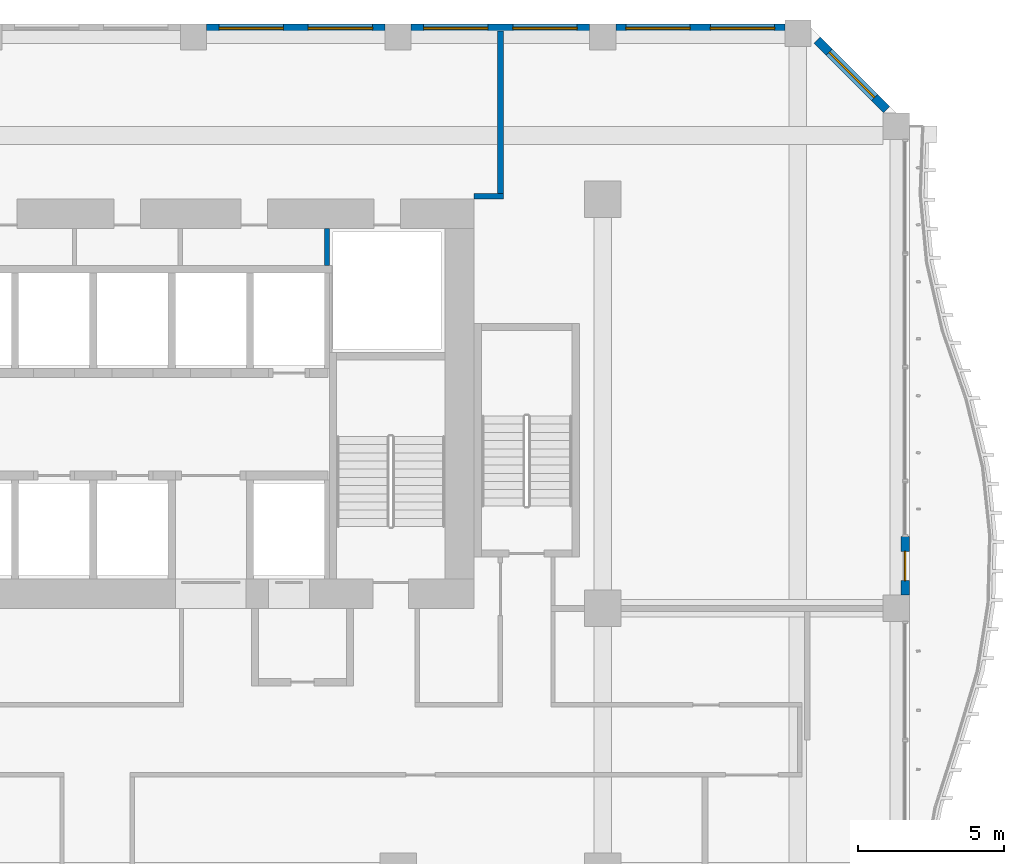
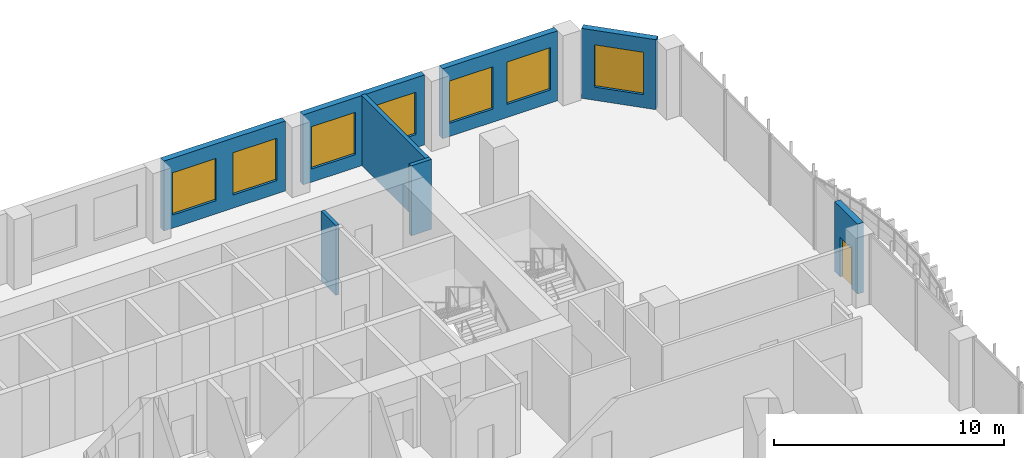
# One storey, part 16 of 27: 8 walls, 7 windows, 1 door, 8 openings.
"""IFC4 building model written with IfcOpenShell, lengths in metres."""

from ifc_helpers import new_model, si_unit, direction, frame, frame_2d, origin, place, context, subcontext, project, spatial, rectangle, extrude, source, transform, mapped, material, layer, layer_set, type_object, element, fill, save


model = new_model("IFC4")

# Units and contexts
model_context = context("Model", 3, precision=1e-05, world=origin(), true_north=direction((0.0, 1.0)))
body_context = subcontext(model_context, "Body", "Model", "MODEL_VIEW")
ifc_project = project(units=[si_unit("LENGTHUNIT", "METRE"), si_unit("AREAUNIT", "SQUARE_METRE"), si_unit("VOLUMEUNIT", "CUBIC_METRE"), si_unit("PLANEANGLEUNIT", "RADIAN"), si_unit("MASSUNIT", "GRAM", prefix="KILO")], contexts=[model_context])

# Site, building, storey
site_placement = place(None, origin())
site = spatial("IfcSite", under=ifc_project, at=site_placement, CompositionType="ELEMENT")
building_placement = place(site_placement, origin())
building = spatial("IfcBuilding", under=site, at=building_placement, Name="Kilnfold Tower and Market Hall", CompositionType="ELEMENT")
storey_placement = place(building_placement, frame((0.0, 0.0, 71.199951171875)))
storey = spatial("IfcBuildingStorey", under=building, at=storey_placement, Name="L16", CompositionType="ELEMENT", Elevation=71.199951171875)

# Walls
ifc_material_1 = material(Name="Gypsum board on steel studs", Category="steel")
ifc_layer_1 = layer(ifc_material_1, 0.199951171875)
ifc_layer_set_1 = layer_set([ifc_layer_1], Name="Gypsum board on steel studs")
wall_type_1 = type_object("IfcWallType", Name="WALL PARTY 200", PredefinedType="PARTITIONING", material=ifc_layer_set_1)
wall_1_placement = place(storey_placement, frame((19.0, 22.199951171875, 0.0), z_axis=(0.0, 0.0, 1.0), x_axis=(0.0, 1.0, 0.0)))
element("IfcWall", 1, at=wall_1_placement, inside=storey, type_object=wall_type_1, Name="Partition LY12.42", PredefinedType="PARTITIONING", context=body_context, shape_type="SweptSolid", body=[
    extrude(rectangle(XDim=5.550048828125, YDim=0.199951171875, at=frame_2d((2.77490234375, 0.0))), origin(), (0.0, 0.0, 1.0), 3.719970703125),
])
wall_2_placement = place(storey_placement, frame((18.090087890625, 22.10009765625, 0.0), z_axis=(0.0, 0.0, 1.0), x_axis=(1.0, 0.0, 0.0)))
element("IfcWall", 2, at=wall_2_placement, inside=storey, type_object=wall_type_1, Name="Partition LY12.43", PredefinedType="PARTITIONING", context=body_context, shape_type="SweptSolid", body=[
    extrude(rectangle(XDim=1.010009765625, YDim=0.199951171875, at=frame_2d((0.5048828125, 0.0))), origin(), (0.0, 0.0, 1.0), 3.719970703125),
])

# Wall, opening, door
ifc_material_2 = material(Name="Precast concrete C50/60", Category="concrete")
ifc_layer_2 = layer(ifc_material_2, 0.300048828125)
ifc_layer_set_2 = layer_set([ifc_layer_2], Name="Precast concrete C50/60")
wall_type_2 = type_object("IfcWallType", Name="PRECAST WALL 300", PredefinedType="SOLIDWALL", material=ifc_layer_set_2)
shared_shape_1 = source(origin(), body_context, "Body", "SweptSolid", [
    extrude(rectangle(XDim=2.0, YDim=0.300048828125, at=frame_2d((1.0, 0.0))), origin(), (0.0, 0.0, 1.0), 3.719970703125),
])
wall_3_placement = place(storey_placement, frame((32.85009765625, 8.449951171875, 0.0), z_axis=(0.0, 0.0, 1.0), x_axis=(0.0, 1.0, 0.0)))
wall_3 = element("IfcWall", 3, at=wall_3_placement, inside=storey, type_object=wall_type_2, Name="External wall L16 E", PredefinedType="SOLIDWALL", context=body_context, shape_type="MappedRepresentation", body=[
    mapped(shared_shape_1, transform((0.0, 0.0, 0.0))),
])
opening_1_placement = place(wall_3_placement, frame((0.5, 0.0, 0.0)))
opening_1 = element("IfcOpeningElement", 4, at=opening_1_placement, cuts=wall_3, Name="Opening BD1", PredefinedType="OPENING", context=body_context, shape_type="SweptSolid", body=[
    extrude(rectangle(XDim=1.0, YDim=2.10009765625, at=frame_2d((0.5, 1.050048828125))), frame((0.0, 0.16015625, 0.0), z_axis=(0.0, -1.0, 0.0), x_axis=(1.0, 0.0, 0.0)), (0.0, 0.0, 1.0), 0.320068359375),
])
ifc_material_3 = material(Name="Aluminium frame and double glazing", Category="aluminium")
door_type = type_object("IfcDoorType", Name="BALCONY DOOR 1000X2100", OperationType="NOTDEFINED", PredefinedType="DOOR", material=ifc_material_3)
door_placement = place(opening_1_placement, origin())
door = element("IfcDoor", 5, at=door_placement, inside=storey, type_object=door_type, Name="Balcony door BD1 L16 E-1", OperationType="SINGLE_SWING_LEFT", OverallHeight=2.10009765625, OverallWidth=1.0, PredefinedType="DOOR", context=body_context, shape_type="SweptSolid", body=[
    extrude(rectangle(XDim=1.0, YDim=2.10009765625, at=frame_2d((0.5, 1.050048828125))), frame((0.0, 0.02490234375, 0.0), z_axis=(0.0, -1.0, 0.0), x_axis=(1.0, 0.0, 0.0)), (0.0, 0.0, 1.0), 0.050048828125),
])
fill(opening_1, door)

# Wall, opening, window
shared_shape_2 = source(origin(), body_context, "Body", "SweptSolid", [
    extrude(rectangle(XDim=3.35888671875, YDim=0.300048828125, at=frame_2d((1.679443359375, 0.0))), origin(), (0.0, 0.0, 1.0), 3.719970703125),
])
wall_4_placement = place(storey_placement, frame((32.218994140625, 25.06884765625, 0.0), z_axis=(0.0, 0.0, 1.0), x_axis=(-0.707070438228, 0.707143122278, 0.0)))
wall_4 = element("IfcWall", 6, at=wall_4_placement, inside=storey, type_object=wall_type_2, Name="External wall L16 NE", PredefinedType="SOLIDWALL", context=body_context, shape_type="MappedRepresentation", body=[
    mapped(shared_shape_2, transform((0.0, 0.0, 0.0))),
])
opening_2_placement = place(wall_4_placement, frame((0.579345703125, 0.0, 0.699951171875)))
opening_2 = element("IfcOpeningElement", 7, at=opening_2_placement, cuts=wall_4, Name="Opening W1", PredefinedType="OPENING", context=body_context, shape_type="SweptSolid", body=[
    extrude(rectangle(XDim=2.199951171875, YDim=2.25, at=frame_2d((1.10009765625, 1.125))), frame((0.0, 0.16015625, 0.0), z_axis=(0.0, -1.0, 0.0), x_axis=(1.0, 0.0, 0.0)), (0.0, 0.0, 1.0), 0.320068359375),
])
ifc_material_4 = material(Name="Aluminium frame and double glazing", Category="aluminium")
window_type = type_object("IfcWindowType", Name="WINDOW W1 2200X2250", PartitioningType="SINGLE_PANEL", PredefinedType="WINDOW", material=ifc_material_4)
window_1_placement = place(opening_2_placement, origin())
window_1 = element("IfcWindow", 8, at=window_1_placement, inside=storey, type_object=window_type, Name="Window W1 L16 NE-1", OverallHeight=2.25, OverallWidth=2.199951171875, PartitioningType="SINGLE_PANEL", PredefinedType="WINDOW", context=body_context, shape_type="SweptSolid", body=[
    extrude(rectangle(XDim=2.199951171875, YDim=2.25, at=frame_2d((1.10009765625, 1.125))), frame((0.0, 0.030029296875, 0.0), z_axis=(0.0, -1.0, 0.0), x_axis=(1.0, 0.0, 0.0)), (0.0, 0.0, 1.0), 0.06005859375),
])
fill(opening_2, window_1)

# Wall, openings, windows
shared_shape_3 = source(origin(), body_context, "Body", "SweptSolid", [
    extrude(rectangle(XDim=5.78173828125, YDim=0.300048828125, at=frame_2d((2.890869140625, 0.0))), origin(), (0.0, 0.0, 1.0), 3.719970703125),
])
wall_5_placement = place(storey_placement, frame((28.731689453125, 27.85009765625, 0.0), z_axis=(0.0, 0.0, 1.0), x_axis=(-1.0, 0.0, 0.0)))
wall_5 = element("IfcWall", 9, at=wall_5_placement, inside=storey, type_object=wall_type_2, Name="External wall L16 N", PredefinedType="SOLIDWALL", context=body_context, shape_type="MappedRepresentation", body=[
    mapped(shared_shape_3, transform((0.0, 0.0, 0.0))),
])
opening_3_placement = place(wall_5_placement, frame((0.345458984375, 0.0, 0.699951171875)))
opening_3 = element("IfcOpeningElement", 10, at=opening_3_placement, cuts=wall_5, Name="Opening W1", PredefinedType="OPENING", context=body_context, shape_type="SweptSolid", body=[
    extrude(rectangle(XDim=2.199951171875, YDim=2.25, at=frame_2d((1.10009765625, 1.125))), frame((0.0, 0.16015625, 0.0), z_axis=(0.0, -1.0, 0.0), x_axis=(1.0, 0.0, 0.0)), (0.0, 0.0, 1.0), 0.320068359375),
])
opening_4_placement = place(wall_5_placement, frame((3.236328125, 0.0, 0.699951171875)))
opening_4 = element("IfcOpeningElement", 11, at=opening_4_placement, cuts=wall_5, Name="Opening W1", PredefinedType="OPENING", context=body_context, shape_type="SweptSolid", body=[
    extrude(rectangle(XDim=2.199951171875, YDim=2.25, at=frame_2d((1.10009765625, 1.125))), frame((0.0, 0.16015625, 0.0), z_axis=(0.0, -1.0, 0.0), x_axis=(1.0, 0.0, 0.0)), (0.0, 0.0, 1.0), 0.320068359375),
])
window_2_placement = place(opening_3_placement, origin())
window_2 = element("IfcWindow", 12, at=window_2_placement, inside=storey, type_object=window_type, Name="Window W1 L16 N-1", OverallHeight=2.25, OverallWidth=2.199951171875, PartitioningType="SINGLE_PANEL", PredefinedType="WINDOW", context=body_context, shape_type="SweptSolid", body=[
    extrude(rectangle(XDim=2.199951171875, YDim=2.25, at=frame_2d((1.10009765625, 1.125))), frame((0.0, 0.030029296875, 0.0), z_axis=(0.0, -1.0, 0.0), x_axis=(1.0, 0.0, 0.0)), (0.0, 0.0, 1.0), 0.06005859375),
])
fill(opening_3, window_2)
window_3_placement = place(opening_4_placement, origin())
window_3 = element("IfcWindow", 13, at=window_3_placement, inside=storey, type_object=window_type, Name="Window W1 L16 N-2", OverallHeight=2.25, OverallWidth=2.199951171875, PartitioningType="SINGLE_PANEL", PredefinedType="WINDOW", context=body_context, shape_type="SweptSolid", body=[
    extrude(rectangle(XDim=2.199951171875, YDim=2.25, at=frame_2d((1.10009765625, 1.125))), frame((0.0, 0.030029296875, 0.0), z_axis=(0.0, -1.0, 0.0), x_axis=(1.0, 0.0, 0.0)), (0.0, 0.0, 1.0), 0.06005859375),
])
fill(opening_4, window_3)

shared_shape_4 = source(origin(), body_context, "Body", "SweptSolid", [
    extrude(rectangle(XDim=6.10009765625, YDim=0.300048828125, at=frame_2d((3.050048828125, 0.0))), origin(), (0.0, 0.0, 1.0), 3.719970703125),
])
wall_6_placement = place(storey_placement, frame((22.050048828125, 27.85009765625, 0.0), z_axis=(0.0, 0.0, 1.0), x_axis=(-1.0, 0.0, 0.0)))
wall_6 = element("IfcWall", 14, at=wall_6_placement, inside=storey, type_object=wall_type_2, Name="External wall L16 N", PredefinedType="SOLIDWALL", context=body_context, shape_type="MappedRepresentation", body=[
    mapped(shared_shape_4, transform((0.0, 0.0, 0.0))),
])
opening_5_placement = place(wall_6_placement, frame((0.425048828125, 0.0, 0.699951171875)))
opening_5 = element("IfcOpeningElement", 15, at=opening_5_placement, cuts=wall_6, Name="Opening W1", PredefinedType="OPENING", context=body_context, shape_type="SweptSolid", body=[
    extrude(rectangle(XDim=2.199951171875, YDim=2.25, at=frame_2d((1.10009765625, 1.125))), frame((0.0, 0.16015625, 0.0), z_axis=(0.0, -1.0, 0.0), x_axis=(1.0, 0.0, 0.0)), (0.0, 0.0, 1.0), 0.320068359375),
])
opening_6_placement = place(wall_6_placement, frame((3.47509765625, 0.0, 0.699951171875)))
opening_6 = element("IfcOpeningElement", 16, at=opening_6_placement, cuts=wall_6, Name="Opening W1", PredefinedType="OPENING", context=body_context, shape_type="SweptSolid", body=[
    extrude(rectangle(XDim=2.199951171875, YDim=2.25, at=frame_2d((1.10009765625, 1.125))), frame((0.0, 0.16015625, 0.0), z_axis=(0.0, -1.0, 0.0), x_axis=(1.0, 0.0, 0.0)), (0.0, 0.0, 1.0), 0.320068359375),
])
window_4_placement = place(opening_5_placement, origin())
window_4 = element("IfcWindow", 17, at=window_4_placement, inside=storey, type_object=window_type, Name="Window W1 L16 N-1", OverallHeight=2.25, OverallWidth=2.199951171875, PartitioningType="SINGLE_PANEL", PredefinedType="WINDOW", context=body_context, shape_type="SweptSolid", body=[
    extrude(rectangle(XDim=2.199951171875, YDim=2.25, at=frame_2d((1.10009765625, 1.125))), frame((0.0, 0.030029296875, 0.0), z_axis=(0.0, -1.0, 0.0), x_axis=(1.0, 0.0, 0.0)), (0.0, 0.0, 1.0), 0.06005859375),
])
fill(opening_5, window_4)
window_5_placement = place(opening_6_placement, origin())
window_5 = element("IfcWindow", 18, at=window_5_placement, inside=storey, type_object=window_type, Name="Window W1 L16 N-2", OverallHeight=2.25, OverallWidth=2.199951171875, PartitioningType="SINGLE_PANEL", PredefinedType="WINDOW", context=body_context, shape_type="SweptSolid", body=[
    extrude(rectangle(XDim=2.199951171875, YDim=2.25, at=frame_2d((1.10009765625, 1.125))), frame((0.0, 0.030029296875, 0.0), z_axis=(0.0, -1.0, 0.0), x_axis=(1.0, 0.0, 0.0)), (0.0, 0.0, 1.0), 0.06005859375),
])
fill(opening_6, window_5)

wall_7_placement = place(storey_placement, frame((15.050048828125, 27.85009765625, 0.0), z_axis=(0.0, 0.0, 1.0), x_axis=(-1.0, 0.0, 0.0)))
wall_7 = element("IfcWall", 19, at=wall_7_placement, inside=storey, type_object=wall_type_2, Name="External wall L16 N", PredefinedType="SOLIDWALL", context=body_context, shape_type="MappedRepresentation", body=[
    mapped(shared_shape_4, transform((0.0, 0.0, 0.0))),
])
opening_7_placement = place(wall_7_placement, frame((0.425048828125, 0.0, 0.699951171875)))
opening_7 = element("IfcOpeningElement", 20, at=opening_7_placement, cuts=wall_7, Name="Opening W1", PredefinedType="OPENING", context=body_context, shape_type="SweptSolid", body=[
    extrude(rectangle(XDim=2.199951171875, YDim=2.25, at=frame_2d((1.10009765625, 1.125))), frame((0.0, 0.16015625, 0.0), z_axis=(0.0, -1.0, 0.0), x_axis=(1.0, 0.0, 0.0)), (0.0, 0.0, 1.0), 0.320068359375),
])
opening_8_placement = place(wall_7_placement, frame((3.47509765625, 0.0, 0.699951171875)))
opening_8 = element("IfcOpeningElement", 21, at=opening_8_placement, cuts=wall_7, Name="Opening W1", PredefinedType="OPENING", context=body_context, shape_type="SweptSolid", body=[
    extrude(rectangle(XDim=2.199951171875, YDim=2.25, at=frame_2d((1.10009765625, 1.125))), frame((0.0, 0.16015625, 0.0), z_axis=(0.0, -1.0, 0.0), x_axis=(1.0, 0.0, 0.0)), (0.0, 0.0, 1.0), 0.320068359375),
])
window_6_placement = place(opening_7_placement, origin())
window_6 = element("IfcWindow", 22, at=window_6_placement, inside=storey, type_object=window_type, Name="Window W1 L16 N-1", OverallHeight=2.25, OverallWidth=2.199951171875, PartitioningType="SINGLE_PANEL", PredefinedType="WINDOW", context=body_context, shape_type="SweptSolid", body=[
    extrude(rectangle(XDim=2.199951171875, YDim=2.25, at=frame_2d((1.10009765625, 1.125))), frame((0.0, 0.030029296875, 0.0), z_axis=(0.0, -1.0, 0.0), x_axis=(1.0, 0.0, 0.0)), (0.0, 0.0, 1.0), 0.06005859375),
])
fill(opening_7, window_6)
window_7_placement = place(opening_8_placement, origin())
window_7 = element("IfcWindow", 23, at=window_7_placement, inside=storey, type_object=window_type, Name="Window W1 L16 N-2", OverallHeight=2.25, OverallWidth=2.199951171875, PartitioningType="SINGLE_PANEL", PredefinedType="WINDOW", context=body_context, shape_type="SweptSolid", body=[
    extrude(rectangle(XDim=2.199951171875, YDim=2.25, at=frame_2d((1.10009765625, 1.125))), frame((0.0, 0.030029296875, 0.0), z_axis=(0.0, -1.0, 0.0), x_axis=(1.0, 0.0, 0.0)), (0.0, 0.0, 1.0), 0.06005859375),
])
fill(opening_8, window_7)

# Wall
ifc_material_5 = material(Name="Gypsum shaft wall system")
ifc_layer_3 = layer(ifc_material_5, 0.1650390625)
ifc_layer_set_3 = layer_set([ifc_layer_3], Name="Gypsum shaft wall system")
wall_type_3 = type_object("IfcWallType", Name="SHAFT WALL 165", PredefinedType="PARTITIONING", material=ifc_layer_set_3)
shared_shape_5 = source(origin(), body_context, "Body", "SweptSolid", [
    extrude(rectangle(XDim=1.27490234375, YDim=0.1650390625, at=frame_2d((0.637451171875, 0.0))), origin(), (0.0, 0.0, 1.0), 3.719970703125),
])
wall_8_placement = place(storey_placement, frame((13.0673828125, 19.72509765625, 0.0), z_axis=(0.0, 0.0, 1.0), x_axis=(0.0, 1.0, 0.0)))
element("IfcWall", 24, at=wall_8_placement, inside=storey, type_object=wall_type_3, Name="Lift shaft wall", PredefinedType="PARTITIONING", context=body_context, shape_type="MappedRepresentation", body=[
    mapped(shared_shape_5, transform((0.0, 0.0, 0.0))),
])

save(model, "model.ifc")
